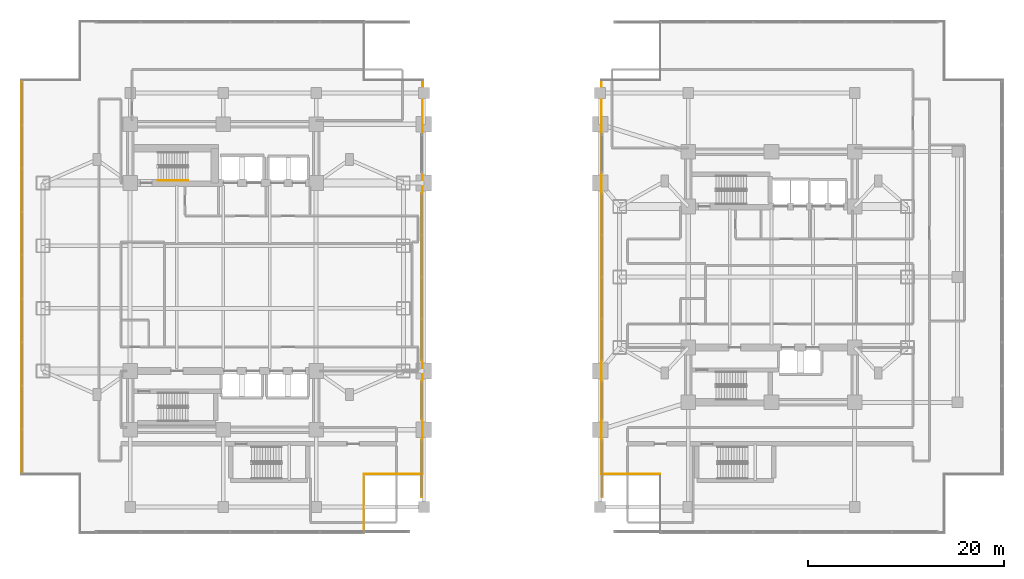
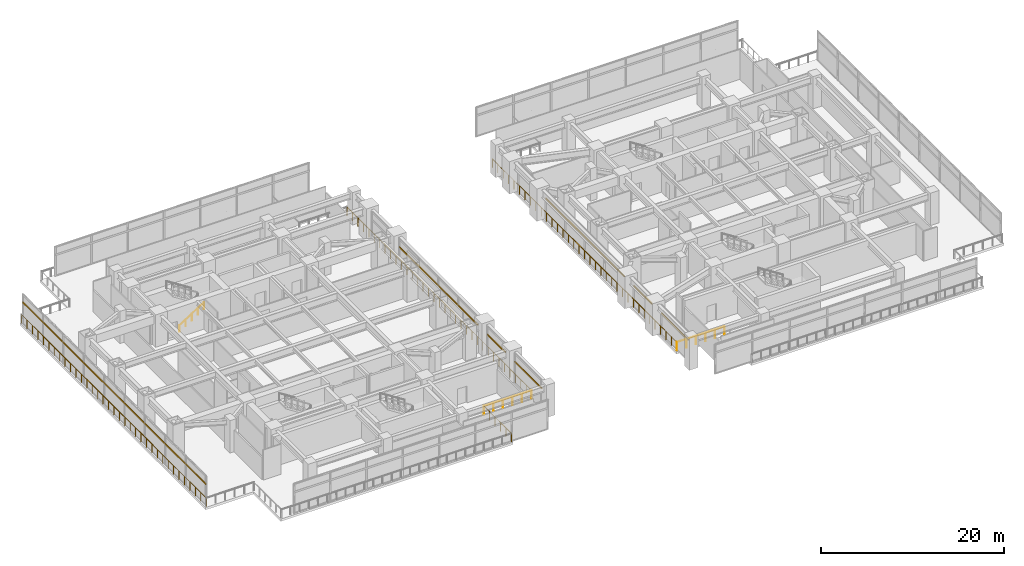
# One storey, part 24 of 31: 7 railings, 7 shading devices.
"""IFC4 building model written with IfcOpenShell, lengths in metres."""

from ifc_helpers import new_model, si_unit, direction, frame, origin, origin_2d, place, context, subcontext, project, spatial, rectangle, circle, extrude, material, material_profile, profile_set, type_object, element, save


model = new_model("IFC4")

# Units and contexts
model_context = context("Model", 3, precision=1e-05, world=origin(), true_north=direction((0.0, 1.0)))
body_context = subcontext(model_context, "Body", "Model", "MODEL_VIEW")
ifc_project = project(units=[si_unit("LENGTHUNIT", "METRE"), si_unit("AREAUNIT", "SQUARE_METRE"), si_unit("VOLUMEUNIT", "CUBIC_METRE"), si_unit("PLANEANGLEUNIT", "RADIAN"), si_unit("MASSUNIT", "GRAM", prefix="KILO")], contexts=[model_context])

# Site, building, storey
site_placement = place(None, origin())
site = spatial("IfcSite", under=ifc_project, at=site_placement, CompositionType="ELEMENT")
building_placement = place(site_placement, origin())
building = spatial("IfcBuilding", under=site, at=building_placement, Name="Mirazonda Arch Towers", CompositionType="ELEMENT")
storey_placement = place(building_placement, frame((0.0, 0.0, 5.199951171875)))
storey = spatial("IfcBuildingStorey", under=building, at=storey_placement, Name="L01", CompositionType="ELEMENT", Elevation=5.199951171875)

# Shading devices
ifc_material_1 = material(Name="Kiln-Fired Architectural Terracotta", Category="masonry")
ifc_material_profile = material_profile(ifc_material_1, rectangle(XDim=0.10009765625, YDim=0.199951171875, at=origin_2d()), Name="TERRA-BAG-100x200")
ifc_profile_set = profile_set([ifc_material_profile], Name="Kiln-Fired Architectural Terracotta")
shading_device_type = type_object("IfcShadingDeviceType", Name="BAGUETTE-2", PredefinedType="USERDEFINED", material=ifc_profile_set)
shading_device_1_placement = place(storey_placement, frame((-0.030029296875, 48.0, 2.851318359375), z_axis=(0.0, -1.0, 0.0), x_axis=(1.0, 0.0, 0.0)))
element("IfcShadingDevice", 1, at=shading_device_1_placement, inside=storey, type_object=shading_device_type, Name="L01 Glazed Terracotta Sun-Screen Baguette CW-L01-WW", ObjectType="BAGUETTE", PredefinedType="USERDEFINED", context=body_context, shape_type="SweptSolid", body=[
    extrude(rectangle(XDim=0.10009765625, YDim=0.199951171875, at=origin_2d()), origin(), (0.0, 0.0, 1.0), 40.0),
])
shading_device_2_placement = place(storey_placement, frame((40.780029296875, 36.56005859375, 2.851318359375), z_axis=(0.0, -1.0, 0.0), x_axis=(1.0, 0.0, 0.0)))
element("IfcShadingDevice", 2, at=shading_device_2_placement, inside=storey, type_object=shading_device_type, Name="L01 Glazed Terracotta Sun-Screen Baguette CW-L01-AW-S2", ObjectType="BAGUETTE", PredefinedType="USERDEFINED", context=body_context, shape_type="SweptSolid", body=[
    extrude(rectangle(XDim=0.10009765625, YDim=0.199951171875, at=origin_2d()), origin(), (0.0, 0.0, 1.0), 17.1201171875),
])
shading_device_3_placement = place(storey_placement, frame((40.780029296875, 17.360107421875, 2.851318359375), z_axis=(0.0, -1.0, 0.0), x_axis=(1.0, 0.0, 0.0)))
element("IfcShadingDevice", 3, at=shading_device_3_placement, inside=storey, type_object=shading_device_type, Name="L01 Glazed Terracotta Sun-Screen Baguette CW-L01-AW-S3", ObjectType="BAGUETTE", PredefinedType="USERDEFINED", context=body_context, shape_type="SweptSolid", body=[
    extrude(rectangle(XDim=0.10009765625, YDim=0.199951171875, at=origin_2d()), origin(), (0.0, 0.0, 1.0), 3.920166015625),
])
for number, where, z_axis, x_axis, name in (
    (4, (40.780029296875, 11.360107421875, 2.851318359375), (0.0, -1.0, 0.0), (1.0, 0.0, 0.0), "L01 Glazed Terracotta Sun-Screen Baguette CW-L01-AW-S4"),
    (5, (59.219970703125, 5.5, 2.851318359375), (0.0, 1.0, 0.0), (-1.0, 0.0, 0.0), "L01 Glazed Terracotta Sun-Screen Baguette CW-L01-AE-S1"),
):
    element("IfcShadingDevice", number, at=place(storey_placement, frame(where, z_axis=z_axis, x_axis=x_axis)), inside=storey, type_object=shading_device_type, Name=name, ObjectType="BAGUETTE", PredefinedType="USERDEFINED", context=body_context, shape_type="SweptSolid", body=[
        extrude(rectangle(XDim=0.10009765625, YDim=0.199951171875, at=origin_2d()), origin(), (0.0, 0.0, 1.0), 5.860107421875),
    ])
shading_device_4_placement = place(storey_placement, frame((59.219970703125, 13.43994140625, 2.851318359375), z_axis=(0.0, 1.0, 0.0), x_axis=(-1.0, 0.0, 0.0)))
element("IfcShadingDevice", 6, at=shading_device_4_placement, inside=storey, type_object=shading_device_type, Name="L01 Glazed Terracotta Sun-Screen Baguette CW-L01-AE-S2", ObjectType="BAGUETTE", PredefinedType="USERDEFINED", context=body_context, shape_type="SweptSolid", body=[
    extrude(rectangle(XDim=0.10009765625, YDim=0.199951171875, at=origin_2d()), origin(), (0.0, 0.0, 1.0), 3.920166015625),
])
shading_device_5_placement = place(storey_placement, frame((59.219970703125, 19.43994140625, 2.851318359375), z_axis=(0.0, 1.0, 0.0), x_axis=(-1.0, 0.0, 0.0)))
element("IfcShadingDevice", 7, at=shading_device_5_placement, inside=storey, type_object=shading_device_type, Name="L01 Glazed Terracotta Sun-Screen Baguette CW-L01-AE-S3", ObjectType="BAGUETTE", PredefinedType="USERDEFINED", context=body_context, shape_type="SweptSolid", body=[
    extrude(rectangle(XDim=0.10009765625, YDim=0.199951171875, at=origin_2d()), origin(), (0.0, 0.0, 1.0), 17.1201171875),
])

# Railings
ifc_material_2 = material(Name="Architectural Brushed Steel S355", Category="steel")
railing_type_1 = type_object("IfcRailingType", Name="GUARD-EXT-1150", PredefinedType="GUARDRAIL", material=ifc_material_2)
railing_1_placement = place(storey_placement, frame((34.860107421875, 1.889892578125, 0.0)))
element("IfcRailing", 8, at=railing_1_placement, inside=storey, type_object=railing_type_1, Name="L01 L01 West Podium Perimeter Guard 02", PredefinedType="GUARDRAIL", context=body_context, shape_type="SweptSolid", body=[
    extrude(circle(Radius=0.02392578125, at=origin_2d()), frame((0.0, 0.0, 1.1259765625), z_axis=(0.0, 1.0, 0.0), x_axis=(-1.0, 0.0, 0.0)), (0.0, 0.0, 1.0), 6.0),
    extrude(circle(Radius=0.02099609375, at=origin_2d()), origin(), (0.0, 0.0, 1.0), 1.101806640625),
    extrude(circle(Radius=0.02099609375, at=origin_2d()), frame((0.0, 1.199951171875, 0.0)), (0.0, 0.0, 1.0), 1.101806640625),
    extrude(circle(Radius=0.02099609375, at=origin_2d()), frame((0.0, 2.39990234375, 0.0)), (0.0, 0.0, 1.0), 1.101806640625),
    extrude(circle(Radius=0.02099609375, at=origin_2d()), frame((0.0, 3.60009765625, 0.0)), (0.0, 0.0, 1.0), 1.101806640625),
    extrude(circle(Radius=0.02099609375, at=origin_2d()), frame((0.0, 4.800048828125, 0.0)), (0.0, 0.0, 1.0), 1.101806640625),
    extrude(circle(Radius=0.02099609375, at=origin_2d()), frame((0.0, 6.0, 0.0)), (0.0, 0.0, 1.0), 1.101806640625),
])
railing_2_placement = place(storey_placement, frame((34.860107421875, 7.889892578125, 0.0)))
element("IfcRailing", 9, at=railing_2_placement, inside=storey, type_object=railing_type_1, Name="L01 L01 West Podium Perimeter Guard 03", PredefinedType="GUARDRAIL", context=body_context, shape_type="SweptSolid", body=[
    extrude(circle(Radius=0.02392578125, at=origin_2d()), frame((0.0, 0.0, 1.1259765625), z_axis=(1.0, 0.0, 0.0), x_axis=(0.0, 1.0, 0.0)), (0.0, 0.0, 1.0), 6.0),
    extrude(circle(Radius=0.02099609375, at=origin_2d()), origin(), (0.0, 0.0, 1.0), 1.101806640625),
    extrude(circle(Radius=0.02099609375, at=origin_2d()), frame((1.199951171875, 0.0, 0.0)), (0.0, 0.0, 1.0), 1.101806640625),
    extrude(circle(Radius=0.02099609375, at=origin_2d()), frame((2.39990234375, 0.0, 0.0)), (0.0, 0.0, 1.0), 1.101806640625),
    extrude(circle(Radius=0.02099609375, at=origin_2d()), frame((3.60009765625, 0.0, 0.0)), (0.0, 0.0, 1.0), 1.101806640625),
    extrude(circle(Radius=0.02099609375, at=origin_2d()), frame((4.800048828125, 0.0, 0.0)), (0.0, 0.0, 1.0), 1.101806640625),
    extrude(circle(Radius=0.02099609375, at=origin_2d()), frame((6.0, 0.0, 0.0)), (0.0, 0.0, 1.0), 1.101806640625),
])
railing_3_placement = place(storey_placement, frame((40.860107421875, 7.889892578125, 0.0)))
element("IfcRailing", 10, at=railing_3_placement, inside=storey, type_object=railing_type_1, Name="L01 L01 West Podium Perimeter Guard 04", PredefinedType="GUARDRAIL", context=body_context, shape_type="SweptSolid", body=[
    extrude(circle(Radius=0.02392578125, at=origin_2d()), frame((0.0, 0.0, 1.1259765625), z_axis=(0.0, 1.0, 0.0), x_axis=(-1.0, 0.0, 0.0)), (0.0, 0.0, 1.0), 40.22021484375),
    extrude(circle(Radius=0.02099609375, at=origin_2d()), origin(), (0.0, 0.0, 1.0), 1.101806640625),
    extrude(circle(Radius=0.02099609375, at=origin_2d()), frame((0.0, 1.182861328125, 0.0)), (0.0, 0.0, 1.0), 1.101806640625),
    extrude(circle(Radius=0.02099609375, at=origin_2d()), frame((0.0, 2.365966796875, 0.0)), (0.0, 0.0, 1.0), 1.101806640625),
    extrude(circle(Radius=0.02099609375, at=origin_2d()), frame((0.0, 3.548828125, 0.0)), (0.0, 0.0, 1.0), 1.101806640625),
    extrude(circle(Radius=0.02099609375, at=origin_2d()), frame((0.0, 4.731689453125, 0.0)), (0.0, 0.0, 1.0), 1.101806640625),
    extrude(circle(Radius=0.02099609375, at=origin_2d()), frame((0.0, 5.914794921875, 0.0)), (0.0, 0.0, 1.0), 1.101806640625),
    extrude(circle(Radius=0.02099609375, at=origin_2d()), frame((0.0, 7.09765625, 0.0)), (0.0, 0.0, 1.0), 1.101806640625),
    extrude(circle(Radius=0.02099609375, at=origin_2d()), frame((0.0, 8.280517578125, 0.0)), (0.0, 0.0, 1.0), 1.101806640625),
    extrude(circle(Radius=0.02099609375, at=origin_2d()), frame((0.0, 9.463623046875, 0.0)), (0.0, 0.0, 1.0), 1.101806640625),
    extrude(circle(Radius=0.02099609375, at=origin_2d()), frame((0.0, 10.646484375, 0.0)), (0.0, 0.0, 1.0), 1.101806640625),
    extrude(circle(Radius=0.02099609375, at=origin_2d()), frame((0.0, 11.82958984375, 0.0)), (0.0, 0.0, 1.0), 1.101806640625),
    extrude(circle(Radius=0.02099609375, at=origin_2d()), frame((0.0, 13.012451171875, 0.0)), (0.0, 0.0, 1.0), 1.101806640625),
    extrude(circle(Radius=0.02099609375, at=origin_2d()), frame((0.0, 14.1953125, 0.0)), (0.0, 0.0, 1.0), 1.101806640625),
    extrude(circle(Radius=0.02099609375, at=origin_2d()), frame((0.0, 15.37841796875, 0.0)), (0.0, 0.0, 1.0), 1.101806640625),
    extrude(circle(Radius=0.02099609375, at=origin_2d()), frame((0.0, 16.561279296875, 0.0)), (0.0, 0.0, 1.0), 1.101806640625),
    extrude(circle(Radius=0.02099609375, at=origin_2d()), frame((0.0, 17.744140625, 0.0)), (0.0, 0.0, 1.0), 1.101806640625),
    extrude(circle(Radius=0.02099609375, at=origin_2d()), frame((0.0, 18.92724609375, 0.0)), (0.0, 0.0, 1.0), 1.101806640625),
    extrude(circle(Radius=0.02099609375, at=origin_2d()), frame((0.0, 20.110107421875, 0.0)), (0.0, 0.0, 1.0), 1.101806640625),
    extrude(circle(Radius=0.02099609375, at=origin_2d()), frame((0.0, 21.29296875, 0.0)), (0.0, 0.0, 1.0), 1.101806640625),
    extrude(circle(Radius=0.02099609375, at=origin_2d()), frame((0.0, 22.47607421875, 0.0)), (0.0, 0.0, 1.0), 1.101806640625),
    extrude(circle(Radius=0.02099609375, at=origin_2d()), frame((0.0, 23.658935546875, 0.0)), (0.0, 0.0, 1.0), 1.101806640625),
    extrude(circle(Radius=0.02099609375, at=origin_2d()), frame((0.0, 24.841796875, 0.0)), (0.0, 0.0, 1.0), 1.101806640625),
    extrude(circle(Radius=0.02099609375, at=origin_2d()), frame((0.0, 26.02490234375, 0.0)), (0.0, 0.0, 1.0), 1.101806640625),
    extrude(circle(Radius=0.02099609375, at=origin_2d()), frame((0.0, 27.207763671875, 0.0)), (0.0, 0.0, 1.0), 1.101806640625),
    extrude(circle(Radius=0.02099609375, at=origin_2d()), frame((0.0, 28.390625, 0.0)), (0.0, 0.0, 1.0), 1.101806640625),
    extrude(circle(Radius=0.02099609375, at=origin_2d()), frame((0.0, 29.57373046875, 0.0)), (0.0, 0.0, 1.0), 1.101806640625),
    extrude(circle(Radius=0.02099609375, at=origin_2d()), frame((0.0, 30.756591796875, 0.0)), (0.0, 0.0, 1.0), 1.101806640625),
    extrude(circle(Radius=0.02099609375, at=origin_2d()), frame((0.0, 31.939697265625, 0.0)), (0.0, 0.0, 1.0), 1.101806640625),
    extrude(circle(Radius=0.02099609375, at=origin_2d()), frame((0.0, 33.12255859375, 0.0)), (0.0, 0.0, 1.0), 1.101806640625),
    extrude(circle(Radius=0.02099609375, at=origin_2d()), frame((0.0, 34.305419921875, 0.0)), (0.0, 0.0, 1.0), 1.101806640625),
    extrude(circle(Radius=0.02099609375, at=origin_2d()), frame((0.0, 35.488525390625, 0.0)), (0.0, 0.0, 1.0), 1.101806640625),
    extrude(circle(Radius=0.02099609375, at=origin_2d()), frame((0.0, 36.67138671875, 0.0)), (0.0, 0.0, 1.0), 1.101806640625),
    extrude(circle(Radius=0.02099609375, at=origin_2d()), frame((0.0, 37.854248046875, 0.0)), (0.0, 0.0, 1.0), 1.101806640625),
    extrude(circle(Radius=0.02099609375, at=origin_2d()), frame((0.0, 39.037353515625, 0.0)), (0.0, 0.0, 1.0), 1.101806640625),
    extrude(circle(Radius=0.02099609375, at=origin_2d()), frame((0.0, 40.22021484375, 0.0)), (0.0, 0.0, 1.0), 1.101806640625),
])
railing_4_placement = place(storey_placement, frame((-0.110107421875, 48.110107421875, 0.0)))
element("IfcRailing", 11, at=railing_4_placement, inside=storey, type_object=railing_type_1, Name="L01 L01 West Podium Perimeter Guard 10", PredefinedType="GUARDRAIL", context=body_context, shape_type="SweptSolid", body=[
    extrude(circle(Radius=0.02392578125, at=origin_2d()), frame((0.0, 0.0, 1.1259765625), z_axis=(0.0, -1.0, 0.0), x_axis=(1.0, 0.0, 0.0)), (0.0, 0.0, 1.0), 40.22021484375),
    extrude(circle(Radius=0.02099609375, at=origin_2d()), origin(), (0.0, 0.0, 1.0), 1.101806640625),
    extrude(circle(Radius=0.02099609375, at=origin_2d()), frame((0.0, -1.182861328125, 0.0)), (0.0, 0.0, 1.0), 1.101806640625),
    extrude(circle(Radius=0.02099609375, at=origin_2d()), frame((0.0, -2.365966796875, 0.0)), (0.0, 0.0, 1.0), 1.101806640625),
    extrude(circle(Radius=0.02099609375, at=origin_2d()), frame((0.0, -3.548828125, 0.0)), (0.0, 0.0, 1.0), 1.101806640625),
    extrude(circle(Radius=0.02099609375, at=origin_2d()), frame((0.0, -4.731689453125, 0.0)), (0.0, 0.0, 1.0), 1.101806640625),
    extrude(circle(Radius=0.02099609375, at=origin_2d()), frame((0.0, -5.914794921875, 0.0)), (0.0, 0.0, 1.0), 1.101806640625),
    extrude(circle(Radius=0.02099609375, at=origin_2d()), frame((0.0, -7.09765625, 0.0)), (0.0, 0.0, 1.0), 1.101806640625),
    extrude(circle(Radius=0.02099609375, at=origin_2d()), frame((0.0, -8.280517578125, 0.0)), (0.0, 0.0, 1.0), 1.101806640625),
    extrude(circle(Radius=0.02099609375, at=origin_2d()), frame((0.0, -9.463623046875, 0.0)), (0.0, 0.0, 1.0), 1.101806640625),
    extrude(circle(Radius=0.02099609375, at=origin_2d()), frame((0.0, -10.646484375, 0.0)), (0.0, 0.0, 1.0), 1.101806640625),
    extrude(circle(Radius=0.02099609375, at=origin_2d()), frame((0.0, -11.82958984375, 0.0)), (0.0, 0.0, 1.0), 1.101806640625),
    extrude(circle(Radius=0.02099609375, at=origin_2d()), frame((0.0, -13.012451171875, 0.0)), (0.0, 0.0, 1.0), 1.101806640625),
    extrude(circle(Radius=0.02099609375, at=origin_2d()), frame((0.0, -14.1953125, 0.0)), (0.0, 0.0, 1.0), 1.101806640625),
    extrude(circle(Radius=0.02099609375, at=origin_2d()), frame((0.0, -15.37841796875, 0.0)), (0.0, 0.0, 1.0), 1.101806640625),
    extrude(circle(Radius=0.02099609375, at=origin_2d()), frame((0.0, -16.561279296875, 0.0)), (0.0, 0.0, 1.0), 1.101806640625),
    extrude(circle(Radius=0.02099609375, at=origin_2d()), frame((0.0, -17.744140625, 0.0)), (0.0, 0.0, 1.0), 1.101806640625),
    extrude(circle(Radius=0.02099609375, at=origin_2d()), frame((0.0, -18.92724609375, 0.0)), (0.0, 0.0, 1.0), 1.101806640625),
    extrude(circle(Radius=0.02099609375, at=origin_2d()), frame((0.0, -20.110107421875, 0.0)), (0.0, 0.0, 1.0), 1.101806640625),
    extrude(circle(Radius=0.02099609375, at=origin_2d()), frame((0.0, -21.29296875, 0.0)), (0.0, 0.0, 1.0), 1.101806640625),
    extrude(circle(Radius=0.02099609375, at=origin_2d()), frame((0.0, -22.47607421875, 0.0)), (0.0, 0.0, 1.0), 1.101806640625),
    extrude(circle(Radius=0.02099609375, at=origin_2d()), frame((0.0, -23.658935546875, 0.0)), (0.0, 0.0, 1.0), 1.101806640625),
    extrude(circle(Radius=0.02099609375, at=origin_2d()), frame((0.0, -24.841796875, 0.0)), (0.0, 0.0, 1.0), 1.101806640625),
    extrude(circle(Radius=0.02099609375, at=origin_2d()), frame((0.0, -26.02490234375, 0.0)), (0.0, 0.0, 1.0), 1.101806640625),
    extrude(circle(Radius=0.02099609375, at=origin_2d()), frame((0.0, -27.207763671875, 0.0)), (0.0, 0.0, 1.0), 1.101806640625),
    extrude(circle(Radius=0.02099609375, at=origin_2d()), frame((0.0, -28.390625, 0.0)), (0.0, 0.0, 1.0), 1.101806640625),
    extrude(circle(Radius=0.02099609375, at=origin_2d()), frame((0.0, -29.57373046875, 0.0)), (0.0, 0.0, 1.0), 1.101806640625),
    extrude(circle(Radius=0.02099609375, at=origin_2d()), frame((0.0, -30.756591796875, 0.0)), (0.0, 0.0, 1.0), 1.101806640625),
    extrude(circle(Radius=0.02099609375, at=origin_2d()), frame((0.0, -31.939697265625, 0.0)), (0.0, 0.0, 1.0), 1.101806640625),
    extrude(circle(Radius=0.02099609375, at=origin_2d()), frame((0.0, -33.12255859375, 0.0)), (0.0, 0.0, 1.0), 1.101806640625),
    extrude(circle(Radius=0.02099609375, at=origin_2d()), frame((0.0, -34.305419921875, 0.0)), (0.0, 0.0, 1.0), 1.101806640625),
    extrude(circle(Radius=0.02099609375, at=origin_2d()), frame((0.0, -35.488525390625, 0.0)), (0.0, 0.0, 1.0), 1.101806640625),
    extrude(circle(Radius=0.02099609375, at=origin_2d()), frame((0.0, -36.67138671875, 0.0)), (0.0, 0.0, 1.0), 1.101806640625),
    extrude(circle(Radius=0.02099609375, at=origin_2d()), frame((0.0, -37.854248046875, 0.0)), (0.0, 0.0, 1.0), 1.101806640625),
    extrude(circle(Radius=0.02099609375, at=origin_2d()), frame((0.0, -39.037353515625, 0.0)), (0.0, 0.0, 1.0), 1.101806640625),
    extrude(circle(Radius=0.02099609375, at=origin_2d()), frame((0.0, -40.22021484375, 0.0)), (0.0, 0.0, 1.0), 1.101806640625),
])
railing_5_placement = place(storey_placement, frame((59.139892578125, 48.110107421875, 0.0)))
element("IfcRailing", 12, at=railing_5_placement, inside=storey, type_object=railing_type_1, Name="L01 L01 East Podium Perimeter Guard 10", PredefinedType="GUARDRAIL", context=body_context, shape_type="SweptSolid", body=[
    extrude(circle(Radius=0.02392578125, at=origin_2d()), frame((0.0, 0.0, 1.1259765625), z_axis=(0.0, -1.0, 0.0), x_axis=(1.0, 0.0, 0.0)), (0.0, 0.0, 1.0), 40.22021484375),
    extrude(circle(Radius=0.02099609375, at=origin_2d()), origin(), (0.0, 0.0, 1.0), 1.101806640625),
    extrude(circle(Radius=0.02099609375, at=origin_2d()), frame((0.0, -1.182861328125, 0.0)), (0.0, 0.0, 1.0), 1.101806640625),
    extrude(circle(Radius=0.02099609375, at=origin_2d()), frame((0.0, -2.365966796875, 0.0)), (0.0, 0.0, 1.0), 1.101806640625),
    extrude(circle(Radius=0.02099609375, at=origin_2d()), frame((0.0, -3.548828125, 0.0)), (0.0, 0.0, 1.0), 1.101806640625),
    extrude(circle(Radius=0.02099609375, at=origin_2d()), frame((0.0, -4.731689453125, 0.0)), (0.0, 0.0, 1.0), 1.101806640625),
    extrude(circle(Radius=0.02099609375, at=origin_2d()), frame((0.0, -5.914794921875, 0.0)), (0.0, 0.0, 1.0), 1.101806640625),
    extrude(circle(Radius=0.02099609375, at=origin_2d()), frame((0.0, -7.09765625, 0.0)), (0.0, 0.0, 1.0), 1.101806640625),
    extrude(circle(Radius=0.02099609375, at=origin_2d()), frame((0.0, -8.280517578125, 0.0)), (0.0, 0.0, 1.0), 1.101806640625),
    extrude(circle(Radius=0.02099609375, at=origin_2d()), frame((0.0, -9.463623046875, 0.0)), (0.0, 0.0, 1.0), 1.101806640625),
    extrude(circle(Radius=0.02099609375, at=origin_2d()), frame((0.0, -10.646484375, 0.0)), (0.0, 0.0, 1.0), 1.101806640625),
    extrude(circle(Radius=0.02099609375, at=origin_2d()), frame((0.0, -11.82958984375, 0.0)), (0.0, 0.0, 1.0), 1.101806640625),
    extrude(circle(Radius=0.02099609375, at=origin_2d()), frame((0.0, -13.012451171875, 0.0)), (0.0, 0.0, 1.0), 1.101806640625),
    extrude(circle(Radius=0.02099609375, at=origin_2d()), frame((0.0, -14.1953125, 0.0)), (0.0, 0.0, 1.0), 1.101806640625),
    extrude(circle(Radius=0.02099609375, at=origin_2d()), frame((0.0, -15.37841796875, 0.0)), (0.0, 0.0, 1.0), 1.101806640625),
    extrude(circle(Radius=0.02099609375, at=origin_2d()), frame((0.0, -16.561279296875, 0.0)), (0.0, 0.0, 1.0), 1.101806640625),
    extrude(circle(Radius=0.02099609375, at=origin_2d()), frame((0.0, -17.744140625, 0.0)), (0.0, 0.0, 1.0), 1.101806640625),
    extrude(circle(Radius=0.02099609375, at=origin_2d()), frame((0.0, -18.92724609375, 0.0)), (0.0, 0.0, 1.0), 1.101806640625),
    extrude(circle(Radius=0.02099609375, at=origin_2d()), frame((0.0, -20.110107421875, 0.0)), (0.0, 0.0, 1.0), 1.101806640625),
    extrude(circle(Radius=0.02099609375, at=origin_2d()), frame((0.0, -21.29296875, 0.0)), (0.0, 0.0, 1.0), 1.101806640625),
    extrude(circle(Radius=0.02099609375, at=origin_2d()), frame((0.0, -22.47607421875, 0.0)), (0.0, 0.0, 1.0), 1.101806640625),
    extrude(circle(Radius=0.02099609375, at=origin_2d()), frame((0.0, -23.658935546875, 0.0)), (0.0, 0.0, 1.0), 1.101806640625),
    extrude(circle(Radius=0.02099609375, at=origin_2d()), frame((0.0, -24.841796875, 0.0)), (0.0, 0.0, 1.0), 1.101806640625),
    extrude(circle(Radius=0.02099609375, at=origin_2d()), frame((0.0, -26.02490234375, 0.0)), (0.0, 0.0, 1.0), 1.101806640625),
    extrude(circle(Radius=0.02099609375, at=origin_2d()), frame((0.0, -27.207763671875, 0.0)), (0.0, 0.0, 1.0), 1.101806640625),
    extrude(circle(Radius=0.02099609375, at=origin_2d()), frame((0.0, -28.390625, 0.0)), (0.0, 0.0, 1.0), 1.101806640625),
    extrude(circle(Radius=0.02099609375, at=origin_2d()), frame((0.0, -29.57373046875, 0.0)), (0.0, 0.0, 1.0), 1.101806640625),
    extrude(circle(Radius=0.02099609375, at=origin_2d()), frame((0.0, -30.756591796875, 0.0)), (0.0, 0.0, 1.0), 1.101806640625),
    extrude(circle(Radius=0.02099609375, at=origin_2d()), frame((0.0, -31.939697265625, 0.0)), (0.0, 0.0, 1.0), 1.101806640625),
    extrude(circle(Radius=0.02099609375, at=origin_2d()), frame((0.0, -33.12255859375, 0.0)), (0.0, 0.0, 1.0), 1.101806640625),
    extrude(circle(Radius=0.02099609375, at=origin_2d()), frame((0.0, -34.305419921875, 0.0)), (0.0, 0.0, 1.0), 1.101806640625),
    extrude(circle(Radius=0.02099609375, at=origin_2d()), frame((0.0, -35.488525390625, 0.0)), (0.0, 0.0, 1.0), 1.101806640625),
    extrude(circle(Radius=0.02099609375, at=origin_2d()), frame((0.0, -36.67138671875, 0.0)), (0.0, 0.0, 1.0), 1.101806640625),
    extrude(circle(Radius=0.02099609375, at=origin_2d()), frame((0.0, -37.854248046875, 0.0)), (0.0, 0.0, 1.0), 1.101806640625),
    extrude(circle(Radius=0.02099609375, at=origin_2d()), frame((0.0, -39.037353515625, 0.0)), (0.0, 0.0, 1.0), 1.101806640625),
    extrude(circle(Radius=0.02099609375, at=origin_2d()), frame((0.0, -40.22021484375, 0.0)), (0.0, 0.0, 1.0), 1.101806640625),
])
railing_6_placement = place(storey_placement, frame((59.139892578125, 7.889892578125, 0.0)))
element("IfcRailing", 13, at=railing_6_placement, inside=storey, type_object=railing_type_1, Name="L01 L01 East Podium Perimeter Guard 11", PredefinedType="GUARDRAIL", context=body_context, shape_type="SweptSolid", body=[
    extrude(circle(Radius=0.02392578125, at=origin_2d()), frame((0.0, 0.0, 1.1259765625), z_axis=(1.0, 0.0, 0.0), x_axis=(0.0, 1.0, 0.0)), (0.0, 0.0, 1.0), 6.0),
    extrude(circle(Radius=0.02099609375, at=origin_2d()), origin(), (0.0, 0.0, 1.0), 1.101806640625),
    extrude(circle(Radius=0.02099609375, at=origin_2d()), frame((1.199951171875, 0.0, 0.0)), (0.0, 0.0, 1.0), 1.101806640625),
    extrude(circle(Radius=0.02099609375, at=origin_2d()), frame((2.39990234375, 0.0, 0.0)), (0.0, 0.0, 1.0), 1.101806640625),
    extrude(circle(Radius=0.02099609375, at=origin_2d()), frame((3.60009765625, 0.0, 0.0)), (0.0, 0.0, 1.0), 1.101806640625),
    extrude(circle(Radius=0.02099609375, at=origin_2d()), frame((4.800048828125, 0.0, 0.0)), (0.0, 0.0, 1.0), 1.101806640625),
    extrude(circle(Radius=0.02099609375, at=origin_2d()), frame((6.0, 0.0, 0.0)), (0.0, 0.0, 1.0), 1.101806640625),
])
railing_type_2 = type_object("IfcRailingType", Name="HANDRAIL-915", PredefinedType="HANDRAIL", material=ifc_material_2)
railing_7_placement = place(storey_placement, frame((13.85009765625, 37.8701171875, 0.17919921875)))
element("IfcRailing", 14, at=railing_7_placement, inside=storey, type_object=railing_type_2, Name="L01 ST-T1N stair handrail 1", PredefinedType="HANDRAIL", context=body_context, shape_type="SweptSolid", body=[
    extrude(circle(Radius=0.02392578125, at=origin_2d()), frame((0.0, 0.0, 0.8759765625), z_axis=(0.842289589211, 0.0, 0.539025275759), x_axis=(0.0, 1.0, 0.0)), (0.0, 0.0, 1.0), 3.656494140625),
    extrude(circle(Radius=0.02099609375, at=origin_2d()), origin(), (0.0, 0.0, 1.0), 0.851806640625),
    extrude(circle(Radius=0.02099609375, at=origin_2d()), frame((0.77001953125, 0.0, 0.49267578125)), (0.0, 0.0, 1.0), 0.851806640625),
    extrude(circle(Radius=0.02099609375, at=origin_2d()), frame((1.5400390625, 0.0, 0.9853515625)), (0.0, 0.0, 1.0), 0.851806640625),
    extrude(circle(Radius=0.02099609375, at=origin_2d()), frame((2.309814453125, 0.0, 1.478271484375)), (0.0, 0.0, 1.0), 0.851806640625),
    extrude(circle(Radius=0.02099609375, at=origin_2d()), frame((3.079833984375, 0.0, 1.970947265625)), (0.0, 0.0, 1.0), 0.851806640625),
])

save(model, "model.ifc")
